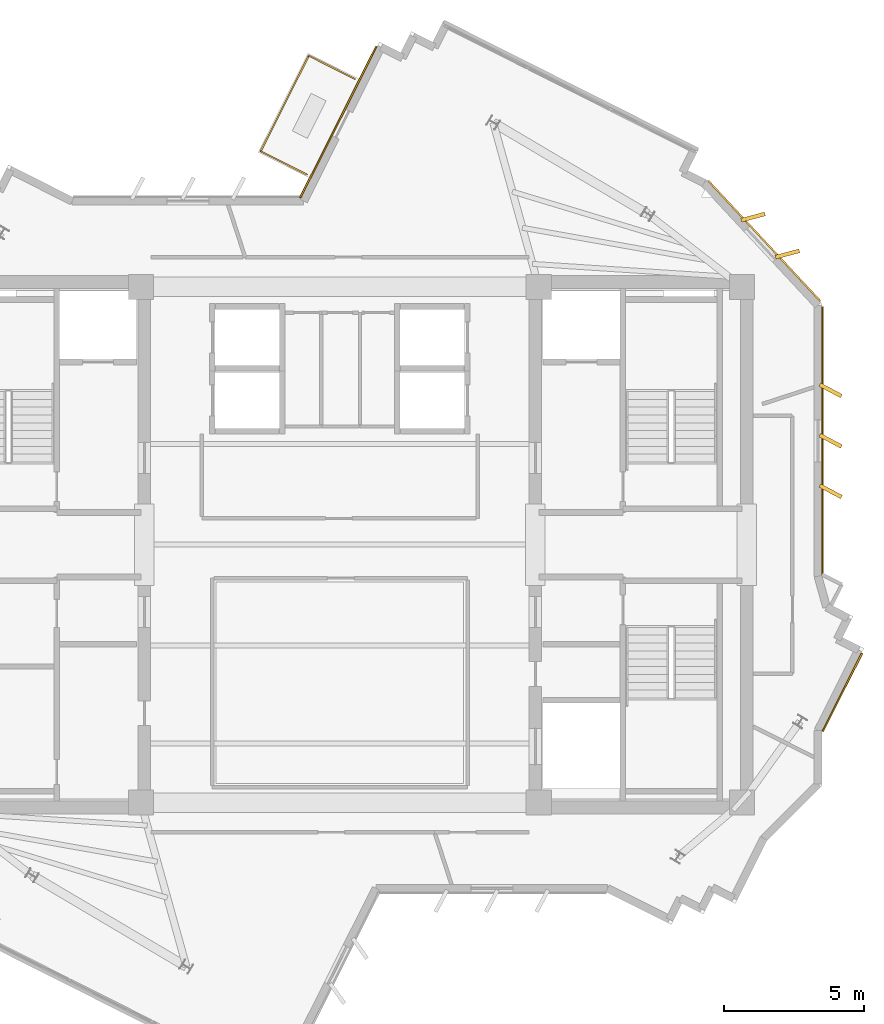
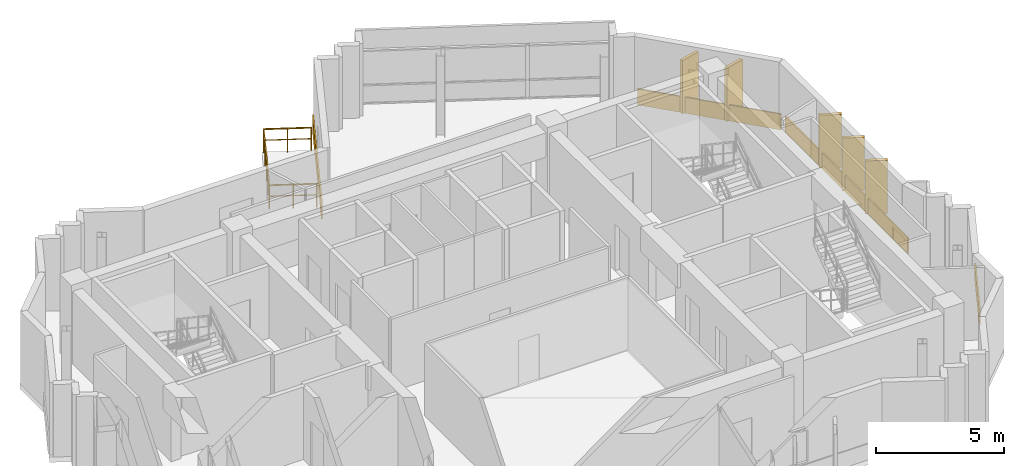
# One storey, part 11 of 11: 9 coverings, 3 railings.
"""IFC4 building model written with IfcOpenShell, lengths in metres."""

from ifc_helpers import new_model, si_unit, direction, frame, origin, origin_2d, place, context, subcontext, project, spatial, rectangle, extrude, source, transform, mapped, material, layer, layer_set, type_object, element, save


model = new_model("IFC4")

# Units and contexts
model_context = context("Model", 3, precision=1e-05, world=origin(), true_north=direction((0.0, 1.0)))
body_context = subcontext(model_context, "Body", "Model", "MODEL_VIEW")
ifc_project = project(units=[si_unit("LENGTHUNIT", "METRE"), si_unit("AREAUNIT", "SQUARE_METRE"), si_unit("VOLUMEUNIT", "CUBIC_METRE"), si_unit("PLANEANGLEUNIT", "RADIAN"), si_unit("MASSUNIT", "GRAM", prefix="KILO")], contexts=[model_context])

# Site, building, storey
site_placement = place(None, origin())
site = spatial("IfcSite", under=ifc_project, at=site_placement, CompositionType="ELEMENT")
building_placement = place(site_placement, origin())
building = spatial("IfcBuilding", under=site, at=building_placement, Name="Zahravan Cultural Tower", CompositionType="ELEMENT")
storey_placement = place(building_placement, frame((0.0, 0.0, 357.300048828125)))
storey = spatial("IfcBuildingStorey", under=building, at=storey_placement, Name="L87", CompositionType="ELEMENT", Elevation=357.300048828125)

# Railings
ifc_material_1 = material(Name="Steel ASTM A572 Grade 50", Category="steel")
railing_type = type_object("IfcRailingType", Name="RL-BAL-1150", PredefinedType="BALUSTRADE", material=ifc_material_1)
railing_1_placement = place(storey_placement, frame((33.17529296875, 41.035888671875, 0.0)))
element("IfcRailing", 1, at=railing_1_placement, inside=storey, type_object=railing_type, Name="L87 Edge Balustrade GRD-TR-L87-NE-01", PredefinedType="BALUSTRADE", context=body_context, shape_type="SweptSolid", body=[
    extrude(rectangle(XDim=0.05, YDim=0.05, at=origin_2d()), frame((0.0, 0.0, 1.125), z_axis=(0.449359723257, 0.893350904804, 0.0), x_axis=(-0.893350904804, 0.449359723257, 0.0)), (0.0, 0.0, 1.0), 3.820068359375),
    extrude(rectangle(XDim=0.032, YDim=0.032, at=origin_2d()), frame((0.0, 0.0, 0.597900390625), z_axis=(0.449359723257, 0.893350904804, 0.0), x_axis=(-0.893350904804, 0.449359723257, 0.0)), (0.0, 0.0, 1.0), 3.820068359375),
    extrude(rectangle(XDim=0.04, YDim=0.04, at=origin_2d()), origin(), (0.0, 0.0, 1.0), 1.14990234375),
    extrude(rectangle(XDim=0.04, YDim=0.04, at=origin_2d()), frame((0.42919921875, 0.85302734375, 0.0)), (0.0, 0.0, 1.0), 1.14990234375),
    extrude(rectangle(XDim=0.04, YDim=0.04, at=origin_2d()), frame((0.8583984375, 1.706298828125, 0.0)), (0.0, 0.0, 1.0), 1.14990234375),
    extrude(rectangle(XDim=0.04, YDim=0.04, at=origin_2d()), frame((1.287353515625, 2.5595703125, 0.0)), (0.0, 0.0, 1.0), 1.14990234375),
    extrude(rectangle(XDim=0.04, YDim=0.04, at=origin_2d()), frame((1.716552734375, 3.41259765625, 0.0)), (0.0, 0.0, 1.0), 1.14990234375),
])
railing_2_placement = place(storey_placement, frame((34.891845703125, 44.448486328125, 0.0)))
element("IfcRailing", 2, at=railing_2_placement, inside=storey, type_object=railing_type, Name="L87 Edge Balustrade GRD-TR-L87-NE-02", PredefinedType="BALUSTRADE", context=body_context, shape_type="SweptSolid", body=[
    extrude(rectangle(XDim=0.05, YDim=0.05, at=origin_2d()), frame((0.0, 0.0, 1.125), z_axis=(0.893342372854, -0.449376684823, 0.0), x_axis=(0.449376684823, 0.893342372854, 0.0)), (0.0, 0.0, 1.0), 1.849853515625),
    extrude(rectangle(XDim=0.032, YDim=0.032, at=origin_2d()), frame((0.0, 0.0, 0.597900390625), z_axis=(0.893342372854, -0.449376684823, 0.0), x_axis=(0.449376684823, 0.893342372854, 0.0)), (0.0, 0.0, 1.0), 1.849853515625),
    extrude(rectangle(XDim=0.04, YDim=0.04, at=origin_2d()), origin(), (0.0, 0.0, 1.0), 1.14990234375),
    extrude(rectangle(XDim=0.04, YDim=0.04, at=origin_2d()), frame((0.826171875, -0.41552734375, 0.0)), (0.0, 0.0, 1.0), 1.14990234375),
    extrude(rectangle(XDim=0.04, YDim=0.04, at=origin_2d()), frame((1.652587890625, -0.831298828125, 0.0)), (0.0, 0.0, 1.0), 1.14990234375),
])
railing_3_placement = place(storey_placement, frame((34.828125, 40.20458984375, 0.0)))
element("IfcRailing", 3, at=railing_3_placement, inside=storey, type_object=railing_type, Name="L87 Edge Balustrade GRD-TR-L87-NE-03", PredefinedType="BALUSTRADE", context=body_context, shape_type="SweptSolid", body=[
    extrude(rectangle(XDim=0.05, YDim=0.05, at=origin_2d()), frame((0.0, 0.0, 1.125), z_axis=(-0.893369019202, 0.449323709067, 0.0), x_axis=(-0.449323709067, -0.893369019202, 0.0)), (0.0, 0.0, 1.0), 1.85009765625),
    extrude(rectangle(XDim=0.032, YDim=0.032, at=origin_2d()), frame((0.0, 0.0, 0.597900390625), z_axis=(-0.893369019202, 0.449323709067, 0.0), x_axis=(-0.449323709067, -0.893369019202, 0.0)), (0.0, 0.0, 1.0), 1.85009765625),
    extrude(rectangle(XDim=0.04, YDim=0.04, at=origin_2d()), origin(), (0.0, 0.0, 1.0), 1.14990234375),
    extrude(rectangle(XDim=0.04, YDim=0.04, at=origin_2d()), frame((-0.826416015625, 0.41552734375, 0.0)), (0.0, 0.0, 1.0), 1.14990234375),
    extrude(rectangle(XDim=0.04, YDim=0.04, at=origin_2d()), frame((-1.65283203125, 0.831298828125, 0.0)), (0.0, 0.0, 1.0), 1.14990234375),
])

# Coverings
ifc_material_2 = material(Name="Terracotta ceramic cladding", Category="masonry")
ifc_layer = layer(ifc_material_2, 0.06005859375)
ifc_layer_set = layer_set([ifc_layer], Name="Terracotta ceramic cladding")
covering_type = type_object("IfcCoveringType", Name="COV-CLAD-TC60", PredefinedType="CLADDING", material=ifc_layer_set)
shared_shape_1 = source(origin(), body_context, "Body", "SweptSolid", [
    extrude(rectangle(XDim=0.8798828125, YDim=0.139892578125, at=origin_2d()), origin(), (0.0, 0.0, 1.0), 2.530029296875),
])
for number, where, z_axis, x_axis, name in (
    (4, (50.743408203125, 38.68994140625, 0.0498046875), (0.0, 0.0, 1.0), (0.966110785991, 0.25812777687, 0.0), "L87 Herringbone Terracotta Fin 01"),
    (5, (51.97021484375, 37.372802734375, 0.0498046875), (0.0, 0.0, 1.0), (0.966110785991, 0.25812777687, 0.0), "L87 Herringbone Terracotta Fin 02"),
    (6, (53.510009765625, 32.50830078125, 0.0498046875), (0.0, 0.0, 1.0), (0.882947592859, -0.469471562786, 0.0), "L87 Herringbone Terracotta Fin 03"),
    (7, (53.510009765625, 30.708251953125, 0.0498046875), (0.0, 0.0, 1.0), (0.882947592859, -0.469471562786, 0.0), "L87 Herringbone Terracotta Fin 04"),
    (8, (53.510009765625, 28.908203125, 0.0498046875), (0.0, 0.0, 1.0), (0.882947592859, -0.469471562786, 0.0), "L87 Herringbone Terracotta Fin 05"),
):
    element("IfcCovering", number, at=place(storey_placement, frame(where, z_axis=z_axis, x_axis=x_axis)), inside=storey, type_object=covering_type, Name=name, PredefinedType="CLADDING", context=body_context, shape_type="MappedRepresentation", body=[
        mapped(shared_shape_1, transform((0.0, 0.0, 0.0), x_axis=(1.0, 0.0, 0.0), y_axis=(0.0, 1.0, 0.0), z_axis=(0.0, 0.0, 1.0), scale=1.0)),
    ])
shared_shape_2 = source(origin(), body_context, "Body", "SweptSolid", [
    extrude(rectangle(XDim=6.04638671875, YDim=0.06005859375, at=origin_2d()), origin(), (0.0, 0.0, 1.0), 0.760009765625),
])
covering_1_placement = place(storey_placement, frame((35.944580078125, 42.07958984375, 0.02001953125), z_axis=(0.0, 0.0, 1.0), x_axis=(0.44933459082, 0.893363546096, 0.0)))
element("IfcCovering", 9, at=covering_1_placement, inside=storey, type_object=covering_type, Name="L87 Terracotta Spandrel Cladding 01", PredefinedType="CLADDING", context=body_context, shape_type="MappedRepresentation", body=[
    mapped(shared_shape_2, transform((0.0, 0.0, 0.0), x_axis=(1.0, 0.0, 0.0), y_axis=(0.0, 1.0, 0.0), z_axis=(0.0, 0.0, 1.0), scale=1.0)),
])
shared_shape_3 = source(origin(), body_context, "Body", "SweptSolid", [
    extrude(rectangle(XDim=5.86474609375, YDim=0.06005859375, at=origin_2d()), origin(), (0.0, 0.0, 1.0), 0.760009765625),
])
covering_2_placement = place(storey_placement, frame((51.148193359375, 37.837158203125, 0.02001953125), z_axis=(0.0, 0.0, 1.0), x_axis=(0.681474839761, -0.73184154212, 0.0)))
element("IfcCovering", 10, at=covering_2_placement, inside=storey, type_object=covering_type, Name="L87 Terracotta Spandrel Cladding 08", PredefinedType="CLADDING", context=body_context, shape_type="MappedRepresentation", body=[
    mapped(shared_shape_3, transform((0.0, 0.0, 0.0), x_axis=(1.0, 0.0, 0.0), y_axis=(0.0, 1.0, 0.0), z_axis=(0.0, 0.0, 1.0), scale=1.0)),
])
shared_shape_4 = source(origin(), body_context, "Body", "SweptSolid", [
    extrude(rectangle(XDim=9.5673828125, YDim=0.06005859375, at=origin_2d()), origin(), (0.0, 0.0, 1.0), 0.760009765625),
])
covering_3_placement = place(storey_placement, frame((53.22509765625, 30.708251953125, 0.02001953125), z_axis=(0.0, 0.0, 1.0), x_axis=(0.0, -1.0, 0.0)))
element("IfcCovering", 11, at=covering_3_placement, inside=storey, type_object=covering_type, Name="L87 Terracotta Spandrel Cladding 09", PredefinedType="CLADDING", context=body_context, shape_type="MappedRepresentation", body=[
    mapped(shared_shape_4, transform((0.0, 0.0, 0.0), x_axis=(1.0, 0.0, 0.0), y_axis=(0.0, 1.0, 0.0), z_axis=(0.0, 0.0, 1.0), scale=1.0)),
])
shared_shape_5 = source(origin(), body_context, "Body", "SweptSolid", [
    extrude(rectangle(XDim=3.117919921875, YDim=0.06005859375, at=origin_2d()), origin(), (0.0, 0.0, 1.0), 0.760009765625),
])
covering_4_placement = place(storey_placement, frame((53.930419921875, 21.73291015625, 0.02001953125), z_axis=(0.0, 0.0, 1.0), x_axis=(-0.449318998616, -0.893371388328, 0.0)))
element("IfcCovering", 12, at=covering_4_placement, inside=storey, type_object=covering_type, Name="L87 Terracotta Spandrel Cladding 14", PredefinedType="CLADDING", context=body_context, shape_type="MappedRepresentation", body=[
    mapped(shared_shape_5, transform((0.0, 0.0, 0.0), x_axis=(1.0, 0.0, 0.0), y_axis=(0.0, 1.0, 0.0), z_axis=(0.0, 0.0, 1.0), scale=1.0)),
])

save(model, "model.ifc")
